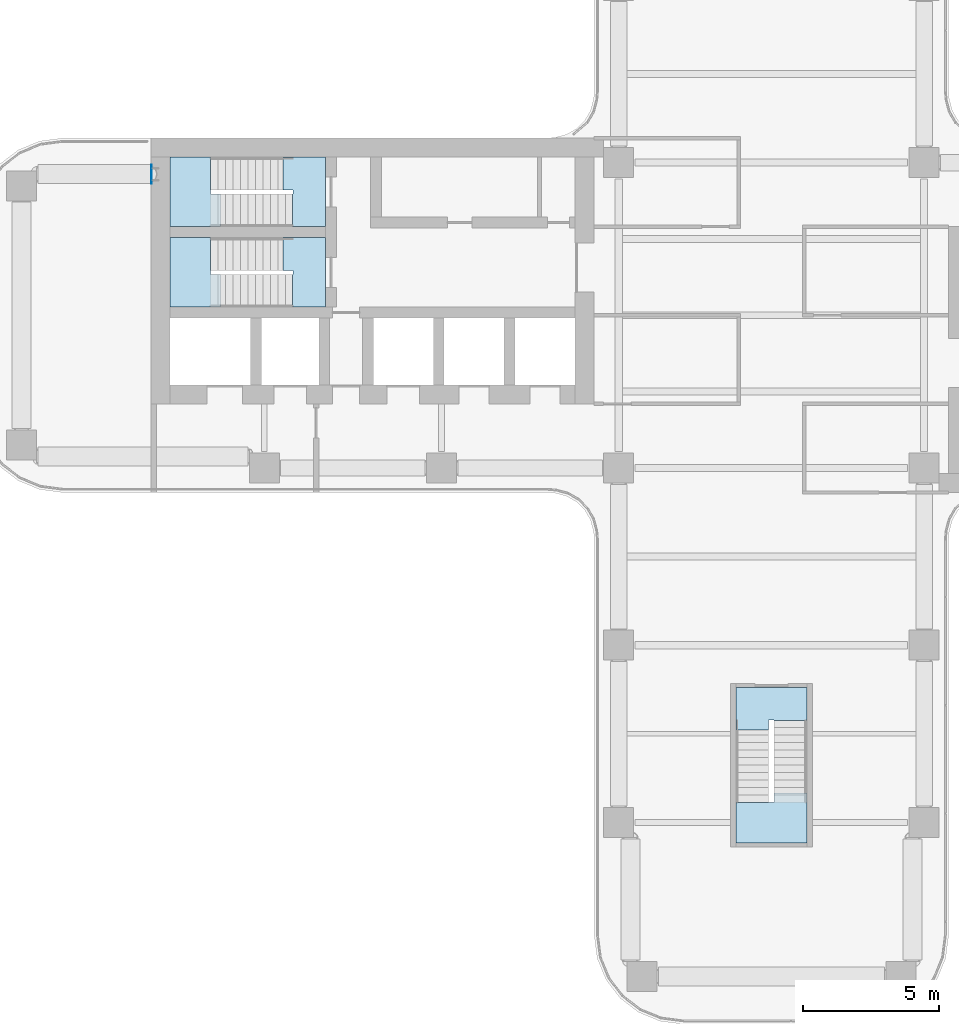
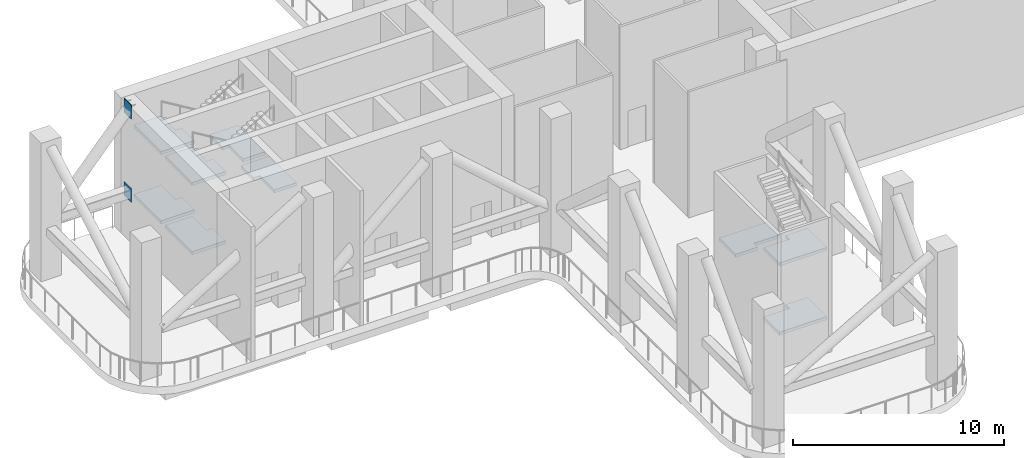
# One storey, part 2 of 11: 9 slabs, 2 plates, 3 elements without a shape of their own.
"""IFC4 building model written with IfcOpenShell, lengths in metres."""

from ifc_helpers import new_model, si_unit, direction, frame, origin, origin_2d, place, context, subcontext, project, spatial, polyline, rectangle, outline, extrude, source, transform, mapped, material, layer, layer_set, type_object, element, aggregate, save


model = new_model("IFC4")

# Units and contexts
model_context = context("Model", 3, precision=1e-05, world=origin(), true_north=direction((0.0, 1.0)))
body_context = subcontext(model_context, "Body", "Model", "MODEL_VIEW")
ifc_project = project(units=[si_unit("LENGTHUNIT", "METRE"), si_unit("AREAUNIT", "SQUARE_METRE"), si_unit("VOLUMEUNIT", "CUBIC_METRE"), si_unit("PLANEANGLEUNIT", "RADIAN"), si_unit("MASSUNIT", "GRAM", prefix="KILO")], contexts=[model_context])

# Site, building, storey
site_placement = place(None, origin())
site = spatial("IfcSite", under=ifc_project, at=site_placement, CompositionType="ELEMENT")
building_placement = place(site_placement, origin())
building = spatial("IfcBuilding", under=site, at=building_placement, Name="Trellis Farm Tower", CompositionType="ELEMENT")
storey_placement = place(building_placement, frame((0.0, 0.0, 212.699951171875)))
storey = spatial("IfcBuildingStorey", under=building, at=storey_placement, Name="L47", CompositionType="ELEMENT", Elevation=212.699951171875)

# Plates
ifc_material_1 = material(Name="Steel S355", Category="steel")
ifc_layer_1 = layer(ifc_material_1, 0.030029296875)
ifc_layer_set_1 = layer_set([ifc_layer_1], Name="Cast-in plate 30")
plate_type = type_object("IfcPlateType", Name="Cast-in plate 30", PredefinedType="SHEET", material=ifc_layer_set_1)
shared_shape_1 = source(origin(), body_context, "Body", "SweptSolid", [
    extrude(rectangle(XDim=0.030029296875, YDim=0.699951171875, at=origin_2d()), origin(), (0.0, 0.0, 1.0), 0.800048828125),
])
for number, where, z_axis, x_axis, name in (
    (1, (-22.735107421875, 5.175048828125, 2.35009765625), (0.0, 0.0, 1.0), (1.0, 0.0, 0.0), "Cast-in plate"),
    (2, (-22.735107421875, 5.175048828125, 7.14990234375), (0.0, 0.0, 1.0), (1.0, 0.0, 0.0), "Cast-in plate"),
):
    element("IfcPlate", number, at=place(storey_placement, frame(where, z_axis=z_axis, x_axis=x_axis)), inside=storey, type_object=plate_type, Name=name, PredefinedType="SHEET", context=body_context, shape_type="MappedRepresentation", body=[
        mapped(shared_shape_1, transform((0.0, 0.0, 0.0))),
    ])

# Stair, slabs
ifc_material_2 = material(Name="Concrete C50/60", Category="concrete")
stair_type = type_object("IfcStairType", Name="CORE EXIT STAIR 48 RISERS 167 MM", PredefinedType="HALF_TURN_STAIR", material=ifc_material_2)
placement_1 = place(storey_placement, origin())
stair_1 = element("IfcStair", 3, at=placement_1, inside=storey, type_object=stair_type, Name="Exit stair S", PredefinedType="HALF_TURN_STAIR")
ifc_layer_2 = layer(ifc_material_2, 0.179931640625)
ifc_layer_set_2 = layer_set([ifc_layer_2], Name="CORE STAIR LANDING 180 CONCRETE C50/60")
slab_type = type_object("IfcSlabType", Name="CORE STAIR LANDING 180 CONCRETE C50/60", PredefinedType="LANDING", material=ifc_layer_set_2)
shared_shape_2 = source(origin(), body_context, "Body", "SweptSolid", [
    extrude(outline(polyline([(1.300048828125, -19.35009765625), (-1.300048828125, -19.35009765625), (-1.300048828125, -17.875), (-1.300048828125, -17.864990234375), (-0.10009765625, -17.864990234375), (-0.10009765625, -17.875), (0.10009765625, -17.875), (0.10009765625, -17.512451171875), (1.300048828125, -17.512451171875), (1.300048828125, -17.875), (1.300048828125, -19.35009765625)])), origin(), (0.0, 0.0, 1.0), 0.179931640625),
])
placement_2 = place(storey_placement, frame((0.0, 0.0, 1.820068359375)))
slab_1 = element("IfcSlab", 4, at=placement_2, type_object=slab_type, Name="STS landing 1", PredefinedType="LANDING", context=body_context, shape_type="MappedRepresentation", body=[
    mapped(shared_shape_2, transform((0.0, 0.0, 0.0))),
])
placement_3 = place(storey_placement, frame((0.0, 0.0, 5.820068359375)))
slab_2 = element("IfcSlab", 5, at=placement_3, type_object=slab_type, Name="STS landing 3", PredefinedType="LANDING", context=body_context, shape_type="MappedRepresentation", body=[
    mapped(shared_shape_2, transform((0.0, 0.0, 0.0))),
])
shared_shape_3 = source(origin(), body_context, "Body", "SweptSolid", [
    extrude(outline(polyline([(-0.10009765625, -15.21240234375), (-1.300048828125, -15.21240234375), (-1.300048828125, -14.85009765625), (-1.300048828125, -13.64990234375), (1.300048828125, -13.64990234375), (1.300048828125, -14.85009765625), (1.300048828125, -14.860107421875), (0.10009765625, -14.860107421875), (0.10009765625, -14.85009765625), (-0.10009765625, -14.85009765625), (-0.10009765625, -15.21240234375)])), origin(), (0.0, 0.0, 1.0), 0.179931640625),
])
placement_4 = place(storey_placement, frame((0.0, 0.0, 3.820068359375)))
slab_3 = element("IfcSlab", 6, at=placement_4, type_object=slab_type, Name="STS landing 2", PredefinedType="LANDING", context=body_context, shape_type="MappedRepresentation", body=[
    mapped(shared_shape_3, transform((0.0, 0.0, 0.0))),
])
aggregate(stair_1, [slab_1, slab_3, slab_2])

stair_2 = element("IfcStair", 7, at=placement_1, inside=storey, type_object=stair_type, Name="Exit stair W1", PredefinedType="HALF_TURN_STAIR")
shared_shape_4 = source(origin(), body_context, "Body", "SweptSolid", [
    extrude(outline(polyline([(-20.21240234375, 4.449951171875), (-20.21240234375, 3.25), (-20.574951171875, 3.25), (-22.050048828125, 3.25), (-22.050048828125, 5.800048828125), (-20.574951171875, 5.800048828125), (-20.56494140625, 5.800048828125), (-20.56494140625, 4.60009765625), (-20.574951171875, 4.60009765625), (-20.574951171875, 4.449951171875), (-20.21240234375, 4.449951171875)])), origin(), (0.0, 0.0, 1.0), 0.179931640625),
])
slab_4 = element("IfcSlab", 8, at=placement_2, type_object=slab_type, Name="STW1 landing 1", PredefinedType="LANDING", context=body_context, shape_type="MappedRepresentation", body=[
    mapped(shared_shape_4, transform((0.0, 0.0, 0.0))),
])
slab_5 = element("IfcSlab", 9, at=placement_3, type_object=slab_type, Name="STW1 landing 3", PredefinedType="LANDING", context=body_context, shape_type="MappedRepresentation", body=[
    mapped(shared_shape_4, transform((0.0, 0.0, 0.0))),
])
shared_shape_5 = source(origin(), body_context, "Body", "SweptSolid", [
    extrude(outline(polyline([(-17.56005859375, 3.25), (-17.56005859375, 4.449951171875), (-17.550048828125, 4.449951171875), (-17.550048828125, 4.60009765625), (-17.91259765625, 4.60009765625), (-17.91259765625, 5.800048828125), (-17.550048828125, 5.800048828125), (-16.35009765625, 5.800048828125), (-16.35009765625, 3.25), (-17.550048828125, 3.25), (-17.56005859375, 3.25)])), origin(), (0.0, 0.0, 1.0), 0.179931640625),
])
slab_6 = element("IfcSlab", 10, at=placement_4, type_object=slab_type, Name="STW1 landing 2", PredefinedType="LANDING", context=body_context, shape_type="MappedRepresentation", body=[
    mapped(shared_shape_5, transform((0.0, 0.0, 0.0))),
])
aggregate(stair_2, [slab_4, slab_6, slab_5])

stair_3 = element("IfcStair", 11, at=placement_1, inside=storey, type_object=stair_type, Name="Exit stair W2", PredefinedType="HALF_TURN_STAIR")
shared_shape_6 = source(origin(), body_context, "Body", "SweptSolid", [
    extrude(outline(polyline([(-20.21240234375, 1.5), (-20.21240234375, 0.300048828125), (-20.574951171875, 0.300048828125), (-22.050048828125, 0.300048828125), (-22.050048828125, 2.85009765625), (-20.574951171875, 2.85009765625), (-20.56494140625, 2.85009765625), (-20.56494140625, 1.64990234375), (-20.574951171875, 1.64990234375), (-20.574951171875, 1.5), (-20.21240234375, 1.5)])), origin(), (0.0, 0.0, 1.0), 0.179931640625),
])
slab_7 = element("IfcSlab", 12, at=placement_2, type_object=slab_type, Name="STW2 landing 1", PredefinedType="LANDING", context=body_context, shape_type="MappedRepresentation", body=[
    mapped(shared_shape_6, transform((0.0, 0.0, 0.0))),
])
slab_8 = element("IfcSlab", 13, at=placement_3, type_object=slab_type, Name="STW2 landing 3", PredefinedType="LANDING", context=body_context, shape_type="MappedRepresentation", body=[
    mapped(shared_shape_6, transform((0.0, 0.0, 0.0))),
])
shared_shape_7 = source(origin(), body_context, "Body", "SweptSolid", [
    extrude(outline(polyline([(-17.56005859375, 0.300048828125), (-17.56005859375, 1.5), (-17.550048828125, 1.5), (-17.550048828125, 1.64990234375), (-17.91259765625, 1.64990234375), (-17.91259765625, 2.85009765625), (-17.550048828125, 2.85009765625), (-16.35009765625, 2.85009765625), (-16.35009765625, 0.300048828125), (-17.550048828125, 0.300048828125), (-17.56005859375, 0.300048828125)])), origin(), (0.0, 0.0, 1.0), 0.179931640625),
])
slab_9 = element("IfcSlab", 14, at=placement_4, type_object=slab_type, Name="STW2 landing 2", PredefinedType="LANDING", context=body_context, shape_type="MappedRepresentation", body=[
    mapped(shared_shape_7, transform((0.0, 0.0, 0.0))),
])
aggregate(stair_3, [slab_7, slab_9, slab_8])

save(model, "model.ifc")
